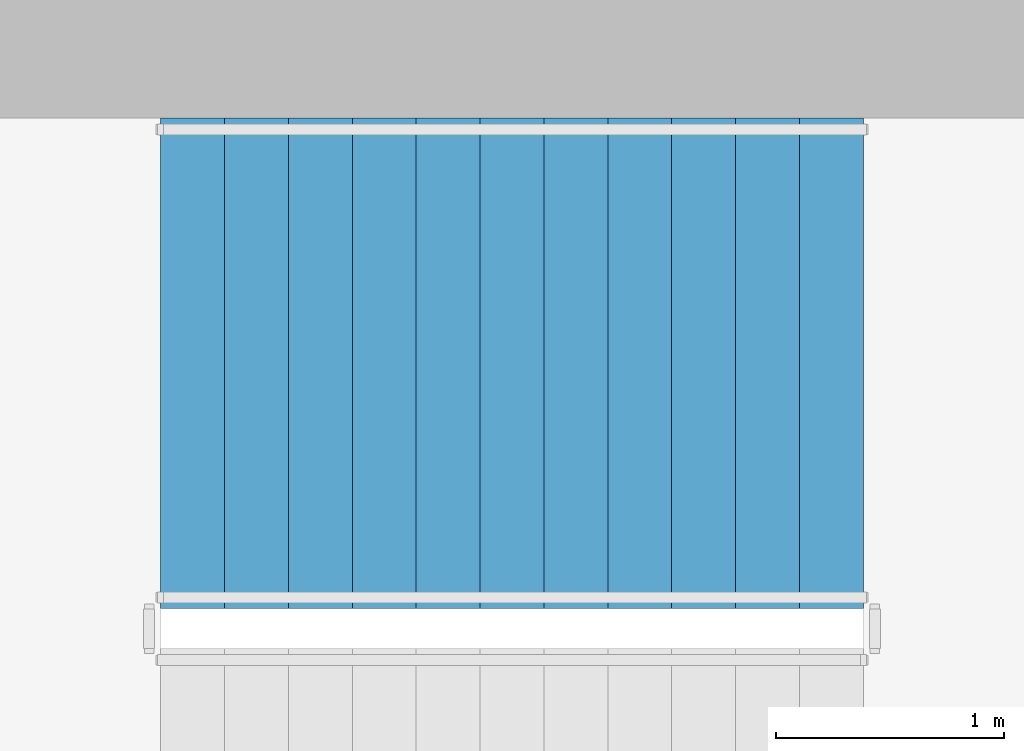
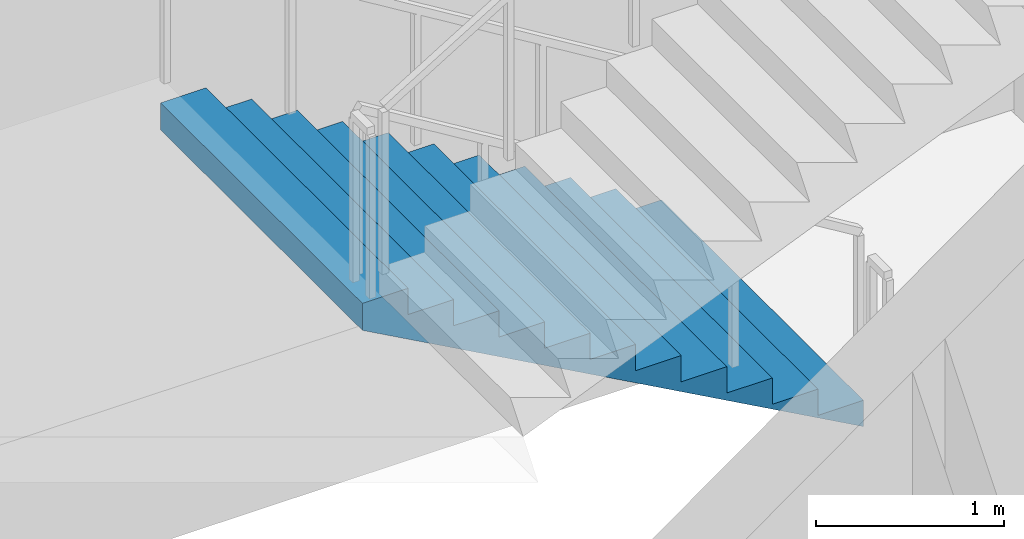
# One storey, part 8 of 13: 1 stair flight, 1 element without a shape of its own.
"""IFC4 building model written with IfcOpenShell, lengths in metres."""

from ifc_helpers import new_model, si_unit, direction, frame, origin, place, context, subcontext, project, spatial, triangles, material, type_object, element, aggregate, save


model = new_model("IFC4")

# Units and contexts
model_context = context("Model", 3, precision=1e-05, world=origin(), true_north=direction((0.0, 1.0)))
body_context = subcontext(model_context, "Body", "Model", "MODEL_VIEW")
ifc_project = project(units=[si_unit("LENGTHUNIT", "METRE"), si_unit("AREAUNIT", "SQUARE_METRE"), si_unit("VOLUMEUNIT", "CUBIC_METRE"), si_unit("PLANEANGLEUNIT", "RADIAN"), si_unit("MASSUNIT", "GRAM", prefix="KILO")], contexts=[model_context])

# Site, building, storey
site_placement = place(None, origin())
site = spatial("IfcSite", under=ifc_project, at=site_placement, CompositionType="ELEMENT")
building_placement = place(site_placement, origin())
building = spatial("IfcBuilding", under=site, at=building_placement, Name="Cypress Arch Tower", CompositionType="ELEMENT")
storey_placement = place(building_placement, frame((0.0, 0.0, 209.699951171875)))
storey = spatial("IfcBuildingStorey", under=building, at=storey_placement, Name="L46", CompositionType="ELEMENT", Elevation=209.699951171875)

# Stair, stair flight
ifc_material_1 = material(Name="Concrete C40/50", Category="concrete")
stair_type = type_object("IfcStairType", Name="Exit stair ES1708-215", PredefinedType="HALF_TURN_STAIR", material=ifc_material_1)
stair_placement = place(storey_placement, origin())
stair = element("IfcStair", 1, at=stair_placement, inside=storey, type_object=stair_type, Name="L46 Exit stair B", PredefinedType="HALF_TURN_STAIR")
ifc_material_2 = material(Name="Concrete C40/50", Category="concrete")
stair_flight_type = type_object("IfcStairFlightType", Name="Exit stair flight ES1708-215", PredefinedType="STRAIGHT", material=ifc_material_2)
stair_flight_placement = place(storey_placement, frame((-22.27490234375, 13.72509765625, 0.0), z_axis=(0.0, 0.0, 1.0), x_axis=(-1.0, 0.0, 0.0)))
stair_flight = element("IfcStairFlight", 2, at=stair_flight_placement, type_object=stair_flight_type, Name="B flight 1", NumberOfRisers=12, NumberOfTreads=11, PredefinedType="STRAIGHT", RiserHeight=0.170833333, TreadLength=0.28, context=body_context, shape_type="Tessellation", body=[
    triangles([(0.0, -1.074951171875, 0.0), (0.000244140625, -1.074951171875, 0.01904296875), (0.000244140625, -1.074951171875, 0.0380859375), (0.00048828125, -1.074951171875, 0.056884765625), (0.00048828125, -1.074951171875, 0.075927734375), (0.00048828125, -1.074951171875, 0.094970703125), (0.00048828125, -1.074951171875, 0.114013671875), (0.000244140625, -1.074951171875, 0.1328125), (0.000244140625, -1.074951171875, 0.15185546875), (0.0, -1.074951171875, 0.1708984375), (0.280029296875, -1.074951171875, 0.1708984375), (0.280029296875, -1.074951171875, 0.341552734375), (0.56005859375, -1.074951171875, 0.341552734375), (0.56005859375, -1.074951171875, 0.512451171875), (0.840087890625, -1.074951171875, 0.512451171875), (0.840087890625, -1.074951171875, 0.683349609375), (1.1201171875, -1.074951171875, 0.683349609375), (1.1201171875, -1.074951171875, 0.854248046875), (1.39990234375, -1.074951171875, 0.854248046875), (1.39990234375, -1.074951171875, 1.02490234375), (1.679931640625, -1.074951171875, 1.02490234375), (1.679931640625, -1.074951171875, 1.19580078125), (1.9599609375, -1.074951171875, 1.19580078125), (1.9599609375, -1.074951171875, 1.36669921875), (2.239990234375, -1.074951171875, 1.36669921875), (2.239990234375, -1.074951171875, 1.53759765625), (2.52001953125, -1.074951171875, 1.53759765625), (2.52001953125, -1.074951171875, 1.708251953125), (2.800048828125, -1.074951171875, 1.708251953125), (2.800048828125, -1.074951171875, 1.879150390625), (3.080078125, -1.074951171875, 1.879150390625), (3.079833984375, -1.074951171875, 1.859619140625), (3.079833984375, -1.074951171875, 1.840087890625), (3.07958984375, -1.074951171875, 1.820556640625), (3.07958984375, -1.074951171875, 1.801025390625), (3.07958984375, -1.074951171875, 1.78173828125), (3.07958984375, -1.074951171875, 1.76220703125), (3.079833984375, -1.074951171875, 1.74267578125), (3.079833984375, -1.074951171875, 1.72314453125), (3.080078125, -1.074951171875, 1.70361328125), (3.080078125, 1.074951171875, 1.70361328125), (3.079833984375, 1.074951171875, 1.72314453125), (3.079833984375, 1.074951171875, 1.74267578125), (3.07958984375, 1.074951171875, 1.76220703125), (3.07958984375, 1.074951171875, 1.78173828125), (3.07958984375, 1.074951171875, 1.801025390625), (3.07958984375, 1.074951171875, 1.820556640625), (3.079833984375, 1.074951171875, 1.840087890625), (3.079833984375, 1.074951171875, 1.859619140625), (3.080078125, 1.074951171875, 1.879150390625), (2.800048828125, 1.074951171875, 1.879150390625), (2.800048828125, 1.074951171875, 1.708251953125), (2.52001953125, 1.074951171875, 1.708251953125), (2.52001953125, 1.074951171875, 1.53759765625), (2.239990234375, 1.074951171875, 1.53759765625), (2.239990234375, 1.074951171875, 1.36669921875), (1.9599609375, 1.074951171875, 1.36669921875), (1.9599609375, 1.074951171875, 1.19580078125), (1.679931640625, 1.074951171875, 1.19580078125), (1.679931640625, 1.074951171875, 1.02490234375), (1.39990234375, 1.074951171875, 1.02490234375), (1.39990234375, 1.074951171875, 0.854248046875), (1.1201171875, 1.074951171875, 0.854248046875), (1.1201171875, 1.074951171875, 0.683349609375), (0.840087890625, 1.074951171875, 0.683349609375), (0.840087890625, 1.074951171875, 0.512451171875), (0.56005859375, 1.074951171875, 0.512451171875), (0.56005859375, 1.074951171875, 0.341552734375), (0.280029296875, 1.074951171875, 0.341552734375), (0.280029296875, 1.074951171875, 0.1708984375), (0.0, 1.074951171875, 0.1708984375), (0.000244140625, 1.074951171875, 0.15185546875), (0.000244140625, 1.074951171875, 0.1328125), (0.00048828125, 1.074951171875, 0.114013671875), (0.00048828125, 1.074951171875, 0.094970703125), (0.00048828125, 1.074951171875, 0.075927734375), (0.00048828125, 1.074951171875, 0.056884765625), (0.000244140625, 1.074951171875, 0.0380859375), (0.000244140625, 1.074951171875, 0.01904296875), (0.0, 1.074951171875, 0.0)], [[40, 39, 30], [39, 38, 30], [38, 37, 30], [37, 36, 30], [36, 35, 30], [35, 34, 30], [34, 33, 30], [33, 32, 30], [32, 31, 30], [19, 18, 17], [27, 26, 25], [25, 24, 23], [23, 22, 21], [17, 16, 15], [15, 14, 13], [10, 9, 11], [9, 8, 11], [8, 7, 11], [7, 6, 11], [6, 5, 11], [5, 4, 11], [4, 3, 11], [3, 2, 11], [2, 1, 11], [29, 28, 27], [21, 20, 19], [13, 12, 11], [40, 30, 29], [40, 29, 27], [40, 27, 25], [40, 25, 23], [40, 23, 21], [40, 21, 19], [40, 19, 17], [40, 17, 15], [40, 15, 13], [1, 40, 13], [13, 11, 1], [41, 51, 42], [42, 51, 43], [43, 51, 44], [44, 51, 45], [45, 51, 46], [46, 51, 47], [47, 51, 48], [48, 51, 49], [49, 51, 50], [62, 64, 63], [54, 56, 55], [56, 58, 57], [58, 60, 59], [64, 66, 65], [66, 68, 67], [71, 70, 72], [72, 70, 73], [73, 70, 74], [74, 70, 75], [75, 70, 76], [76, 70, 77], [77, 70, 78], [78, 70, 79], [79, 70, 80], [52, 54, 53], [60, 62, 61], [68, 70, 69], [41, 52, 51], [41, 54, 52], [41, 56, 54], [41, 58, 56], [41, 60, 58], [41, 62, 60], [41, 64, 62], [41, 66, 64], [41, 68, 66], [80, 68, 41], [68, 80, 70], [41, 42, 39], [41, 39, 40], [42, 43, 38], [42, 38, 39], [43, 44, 37], [43, 37, 38], [44, 45, 36], [44, 36, 37], [45, 46, 35], [45, 35, 36], [46, 47, 34], [46, 34, 35], [47, 48, 33], [47, 33, 34], [48, 49, 32], [48, 32, 33], [49, 50, 31], [49, 31, 32], [50, 51, 30], [50, 30, 31], [51, 52, 29], [51, 29, 30], [52, 53, 28], [52, 28, 29], [53, 54, 27], [53, 27, 28], [54, 55, 26], [54, 26, 27], [55, 56, 25], [55, 25, 26], [56, 57, 24], [56, 24, 25], [57, 58, 23], [57, 23, 24], [58, 59, 22], [58, 22, 23], [59, 60, 21], [59, 21, 22], [60, 61, 20], [60, 20, 21], [61, 62, 19], [61, 19, 20], [62, 63, 18], [62, 18, 19], [63, 64, 17], [63, 17, 18], [64, 65, 16], [64, 16, 17], [65, 66, 15], [65, 15, 16], [66, 67, 14], [66, 14, 15], [67, 68, 13], [67, 13, 14], [68, 69, 12], [68, 12, 13], [69, 70, 11], [69, 11, 12], [70, 71, 10], [70, 10, 11], [71, 72, 9], [71, 9, 10], [72, 73, 8], [72, 8, 9], [73, 74, 7], [73, 7, 8], [74, 75, 6], [74, 6, 7], [75, 76, 5], [75, 5, 6], [76, 77, 4], [76, 4, 5], [77, 78, 3], [77, 3, 4], [78, 79, 2], [78, 2, 3], [79, 80, 1], [79, 1, 2], [80, 41, 40], [80, 40, 1]], closed=True),
])
aggregate(stair, [stair_flight])

save(model, "model.ifc")
